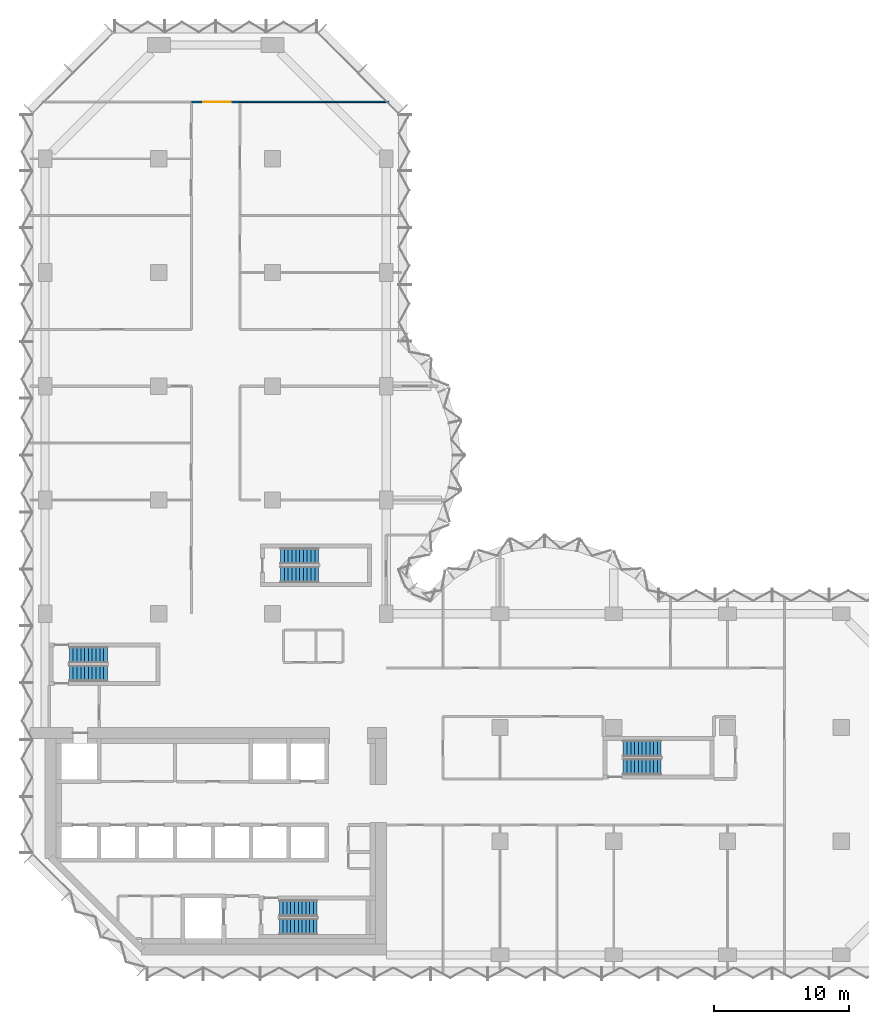
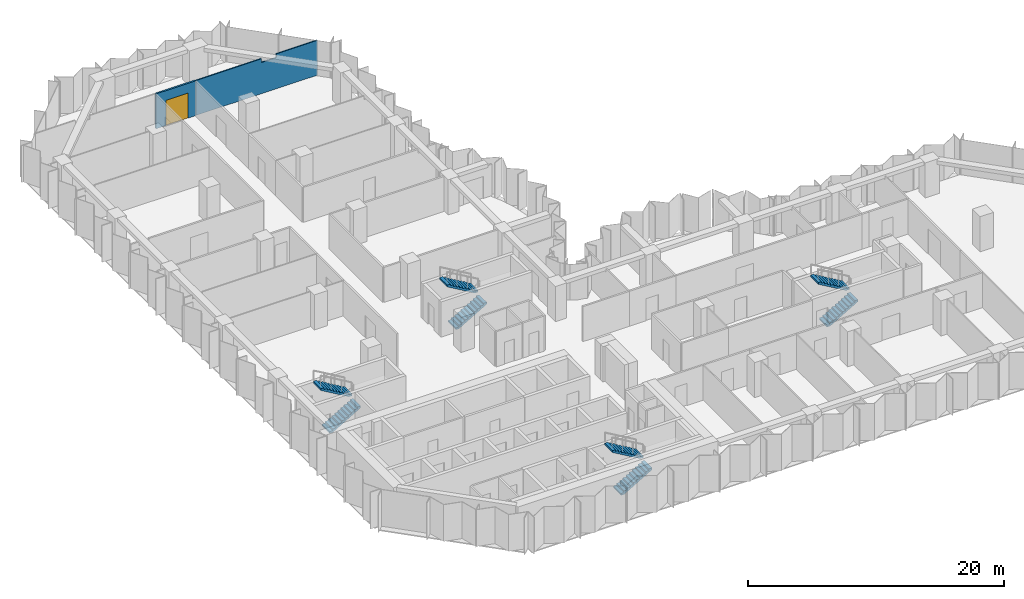
# One storey, part 11 of 13: 8 stair flights, 2 walls, 1 door, 1 opening, 4 elements without a shape of their own.
"""IFC4 building model written with IfcOpenShell, lengths in metres."""

from ifc_helpers import new_model, si_unit, direction, frame, frame_2d, origin, place, context, subcontext, project, spatial, polyline, rectangle, outline, extrude, material, layer, layer_set, type_object, element, fill, aggregate, save


model = new_model("IFC4")

# Units and contexts
model_context = context("Model", 3, precision=1e-05, world=origin(), true_north=direction((0.0, 1.0)))
body_context = subcontext(model_context, "Body", "Model", "MODEL_VIEW")
ifc_project = project(units=[si_unit("LENGTHUNIT", "METRE"), si_unit("AREAUNIT", "SQUARE_METRE"), si_unit("VOLUMEUNIT", "CUBIC_METRE"), si_unit("PLANEANGLEUNIT", "RADIAN"), si_unit("MASSUNIT", "GRAM", prefix="KILO")], contexts=[model_context])

# Site, building, storey
site_placement = place(None, origin())
site = spatial("IfcSite", under=ifc_project, at=site_placement, CompositionType="ELEMENT")
building_placement = place(site_placement, origin())
building = spatial("IfcBuilding", under=site, at=building_placement, Name="Brevane Broadcast Tower", CompositionType="ELEMENT")
storey_placement = place(building_placement, frame((0.0, 0.0, 124.10009765625)))
storey = spatial("IfcBuildingStorey", under=building, at=storey_placement, Name="L30", CompositionType="ELEMENT", Elevation=124.10009765625)

# Wall
ifc_material_1 = material(Name="Gypsum board partition")
ifc_layer_1 = layer(ifc_material_1, 0.10009765625)
ifc_layer_set_1 = layer_set([ifc_layer_1], Name="PARTITION 100 STUD")
wall_type_1 = type_object("IfcWallType", Name="PARTITION 100 STUD", PredefinedType="PARTITIONING", material=ifc_layer_set_1)
wall_1_placement = place(storey_placement, frame((25.39990234375, 63.0, 0.0), z_axis=(0.0, 0.0, 1.0), x_axis=(-1.0, 0.0, 0.0)))
element("IfcWall", 1, at=wall_1_placement, inside=storey, type_object=wall_type_1, Name="Partition G09-062", PredefinedType="PARTITIONING", context=body_context, shape_type="SweptSolid", body=[
    extrude(outline(polyline([(0.0, 0.0), (11.0, 0.0), (11.0, 3.329833984375), (5.065673828125, 3.329833984375), (5.063720703125, 2.97998046875), (3.736328125, 2.97998046875), (3.734375, 3.329833984375), (0.0, 3.329833984375), (0.0, 0.0)])), frame((0.0, 0.050048828125, 0.0), z_axis=(0.0, -1.0, 0.0), x_axis=(1.0, 0.0, 0.0)), (0.0, 0.0, 1.0), 0.10009765625),
])

# Wall, opening, door
ifc_layer_2 = layer(ifc_material_1, 0.14990234375)
ifc_layer_set_2 = layer_set([ifc_layer_2], Name="PARTITION 150 EI 60")
wall_type_2 = type_object("IfcWallType", Name="PARTITION 150 EI 60", PredefinedType="PARTITIONING", material=ifc_layer_set_2)
wall_2_placement = place(storey_placement, frame((10.800048828125, 63.0, 0.0), z_axis=(0.0, 0.0, 1.0), x_axis=(1.0, 0.0, 0.0)))
wall_2 = element("IfcWall", 2, at=wall_2_placement, inside=storey, type_object=wall_type_2, Name="Partition G09-051", PredefinedType="PARTITIONING", context=body_context, shape_type="SweptSolid", body=[
    extrude(rectangle(XDim=3.599853515625, YDim=0.14990234375, at=frame_2d((1.7998046875, 0.0))), origin(), (0.0, 0.0, 1.0), 3.329833984375),
])
opening_placement = place(wall_2_placement, frame((0.89990234375, 0.0, 0.0)))
opening = element("IfcOpeningElement", 3, at=opening_placement, cuts=wall_2, Name="Opening D16-016", PredefinedType="OPENING", context=body_context, shape_type="SweptSolid", body=[
    extrude(rectangle(XDim=2.0, YDim=2.39990234375, at=frame_2d((1.0, 1.199951171875))), frame((0.0, 0.0849609375, 0.0), z_axis=(0.0, -1.0, 0.0), x_axis=(1.0, 0.0, 0.0)), (0.0, 0.0, 1.0), 0.169921875),
])
ifc_material_2 = material(Name="Fire-rated timber door leaf", Category="wood")
door_type = type_object("IfcDoorType", Name="DOOR DOUBLE 2000 FD30S", OperationType="DOUBLE_DOOR_SINGLE_SWING", PredefinedType="DOOR", material=ifc_material_2)
door_placement = place(opening_placement, origin())
door = element("IfcDoor", 4, at=door_placement, inside=storey, type_object=door_type, Name="Door D16-016", OperationType="DOUBLE_DOOR_SINGLE_SWING", OverallHeight=2.39990234375, OverallWidth=2.0, PredefinedType="DOOR", context=body_context, shape_type="SweptSolid", body=[
    extrude(rectangle(XDim=2.0, YDim=2.39990234375, at=frame_2d((1.0, 1.199951171875))), frame((0.0, 0.02490234375, 0.0), z_axis=(0.0, -1.0, 0.0), x_axis=(1.0, 0.0, 0.0)), (0.0, 0.0, 1.0), 0.050048828125),
])
fill(opening, door)

# Stair, stair flights
ifc_material_3 = material(Name="Concrete C50/60", Category="concrete")
stair_type = type_object("IfcStairType", Name="Exit stair 22 risers", PredefinedType="HALF_TURN_STAIR", material=ifc_material_3)
stair_1_placement = place(storey_placement, origin())
stair_1 = element("IfcStair", 5, at=stair_1_placement, inside=storey, type_object=stair_type, Name="L30 Exit stair ST-1", PredefinedType="HALF_TURN_STAIR")
stair_flight_type = type_object("IfcStairFlightType", Name="Exit stair flight 22 risers", PredefinedType="STRAIGHT", material=ifc_material_3)
stair_flight_1_placement = place(storey_placement, frame((1.800048828125, 20.800048828125, 0.0), z_axis=(0.0, 0.0, 1.0), x_axis=(1.0, 0.0, 0.0)))
stair_flight_1 = element("IfcStairFlight", 6, at=stair_flight_1_placement, type_object=stair_flight_type, Name="ST-1 flight 1", NumberOfRisers=11, NumberOfTreads=10, PredefinedType="STRAIGHT", RiserHeight=0.163636364, TreadLength=0.28, context=body_context, shape_type="SweptSolid", body=[
    extrude(outline(polyline([(0.0, 0.0), (0.0, 0.16357421875), (0.280029296875, 0.16357421875), (0.280029296875, 0.327392578125), (0.56005859375, 0.327392578125), (0.56005859375, 0.490966796875), (0.840087890625, 0.490966796875), (0.840087890625, 0.654541015625), (1.1201171875, 0.654541015625), (1.1201171875, 0.818115234375), (1.39990234375, 0.818115234375), (1.39990234375, 0.98193359375), (1.679931640625, 0.98193359375), (1.679931640625, 1.1455078125), (1.9599609375, 1.1455078125), (1.9599609375, 1.30908203125), (2.239990234375, 1.30908203125), (2.239990234375, 1.47265625), (2.52001953125, 1.47265625), (2.52001953125, 1.636474609375), (2.800048828125, 1.636474609375), (2.800048828125, 1.800048828125), (2.800048828125, 1.462646484375), (0.297119140625, 0.0), (0.0, 0.0)])), frame((0.0, 0.60009765625, 0.0), z_axis=(0.0, -1.0, 0.0), x_axis=(1.0, 0.0, 0.0)), (0.0, 0.0, 1.0), 1.199951171875),
])
stair_flight_2_placement = place(storey_placement, frame((4.60009765625, 22.14990234375, 1.7998046875), z_axis=(0.0, 0.0, 1.0), x_axis=(-1.0, 0.0, 0.0)))
stair_flight_2 = element("IfcStairFlight", 7, at=stair_flight_2_placement, type_object=stair_flight_type, Name="ST-1 flight 2", NumberOfRisers=11, NumberOfTreads=10, PredefinedType="STRAIGHT", RiserHeight=0.163636364, TreadLength=0.28, context=body_context, shape_type="SweptSolid", body=[
    extrude(outline(polyline([(0.0, 0.0), (0.0, 0.16357421875), (0.280029296875, 0.16357421875), (0.280029296875, 0.327392578125), (0.56005859375, 0.327392578125), (0.56005859375, 0.490966796875), (0.840087890625, 0.490966796875), (0.840087890625, 0.654541015625), (1.1201171875, 0.654541015625), (1.1201171875, 0.818115234375), (1.39990234375, 0.818115234375), (1.39990234375, 0.98193359375), (1.679931640625, 0.98193359375), (1.679931640625, 1.1455078125), (1.9599609375, 1.1455078125), (1.9599609375, 1.30908203125), (2.239990234375, 1.30908203125), (2.239990234375, 1.47265625), (2.52001953125, 1.47265625), (2.52001953125, 1.636474609375), (2.800048828125, 1.636474609375), (2.800048828125, 1.800048828125), (2.800048828125, 1.462646484375), (0.297119140625, 0.0), (0.0, 0.0)])), frame((0.0, 0.60009765625, 0.0), z_axis=(0.0, -1.0, 0.0), x_axis=(1.0, 0.0, 0.0)), (0.0, 0.0, 1.0), 1.199951171875),
])
aggregate(stair_1, [stair_flight_1, stair_flight_2])

stair_2_placement = place(storey_placement, origin())
stair_2 = element("IfcStair", 8, at=stair_2_placement, inside=storey, type_object=stair_type, Name="L30 Exit stair ST-2", PredefinedType="HALF_TURN_STAIR")
stair_flight_3_placement = place(storey_placement, frame((17.300048828125, 2.10009765625, 0.0), z_axis=(0.0, 0.0, 1.0), x_axis=(1.0, 0.0, 0.0)))
stair_flight_3 = element("IfcStairFlight", 9, at=stair_flight_3_placement, type_object=stair_flight_type, Name="ST-2 flight 1", NumberOfRisers=11, NumberOfTreads=10, PredefinedType="STRAIGHT", RiserHeight=0.163636364, TreadLength=0.28, context=body_context, shape_type="SweptSolid", body=[
    extrude(outline(polyline([(0.0, 0.0), (0.0, 0.16357421875), (0.280029296875, 0.16357421875), (0.280029296875, 0.327392578125), (0.56005859375, 0.327392578125), (0.56005859375, 0.490966796875), (0.840087890625, 0.490966796875), (0.840087890625, 0.654541015625), (1.1201171875, 0.654541015625), (1.1201171875, 0.818115234375), (1.39990234375, 0.818115234375), (1.39990234375, 0.98193359375), (1.679931640625, 0.98193359375), (1.679931640625, 1.1455078125), (1.9599609375, 1.1455078125), (1.9599609375, 1.30908203125), (2.239990234375, 1.30908203125), (2.239990234375, 1.47265625), (2.52001953125, 1.47265625), (2.52001953125, 1.636474609375), (2.800048828125, 1.636474609375), (2.800048828125, 1.800048828125), (2.800048828125, 1.462646484375), (0.297119140625, 0.0), (0.0, 0.0)])), frame((0.0, 0.60009765625, 0.0), z_axis=(0.0, -1.0, 0.0), x_axis=(1.0, 0.0, 0.0)), (0.0, 0.0, 1.0), 1.199951171875),
])
stair_flight_4_placement = place(storey_placement, frame((20.10009765625, 3.449951171875, 1.7998046875), z_axis=(0.0, 0.0, 1.0), x_axis=(-1.0, 0.0, 0.0)))
stair_flight_4 = element("IfcStairFlight", 10, at=stair_flight_4_placement, type_object=stair_flight_type, Name="ST-2 flight 2", NumberOfRisers=11, NumberOfTreads=10, PredefinedType="STRAIGHT", RiserHeight=0.163636364, TreadLength=0.28, context=body_context, shape_type="SweptSolid", body=[
    extrude(outline(polyline([(0.0, 0.0), (0.0, 0.16357421875), (0.280029296875, 0.16357421875), (0.280029296875, 0.327392578125), (0.56005859375, 0.327392578125), (0.56005859375, 0.490966796875), (0.840087890625, 0.490966796875), (0.840087890625, 0.654541015625), (1.1201171875, 0.654541015625), (1.1201171875, 0.818115234375), (1.39990234375, 0.818115234375), (1.39990234375, 0.98193359375), (1.679931640625, 0.98193359375), (1.679931640625, 1.1455078125), (1.9599609375, 1.1455078125), (1.9599609375, 1.30908203125), (2.239990234375, 1.30908203125), (2.239990234375, 1.47265625), (2.52001953125, 1.47265625), (2.52001953125, 1.636474609375), (2.800048828125, 1.636474609375), (2.800048828125, 1.800048828125), (2.800048828125, 1.462646484375), (0.297119140625, 0.0), (0.0, 0.0)])), frame((0.0, 0.60009765625, 0.0), z_axis=(0.0, -1.0, 0.0), x_axis=(1.0, 0.0, 0.0)), (0.0, 0.0, 1.0), 1.199951171875),
])
aggregate(stair_2, [stair_flight_3, stair_flight_4])

stair_3_placement = place(storey_placement, origin())
stair_3 = element("IfcStair", 11, at=stair_3_placement, inside=storey, type_object=stair_type, Name="L30 Exit stair ST-3", PredefinedType="HALF_TURN_STAIR")
stair_flight_5_placement = place(storey_placement, frame((17.39990234375, 28.10009765625, 0.0), z_axis=(0.0, 0.0, 1.0), x_axis=(1.0, 0.0, 0.0)))
stair_flight_5 = element("IfcStairFlight", 12, at=stair_flight_5_placement, type_object=stair_flight_type, Name="ST-3 flight 1", NumberOfRisers=11, NumberOfTreads=10, PredefinedType="STRAIGHT", RiserHeight=0.163636364, TreadLength=0.28, context=body_context, shape_type="SweptSolid", body=[
    extrude(outline(polyline([(0.0, 0.0), (0.0, 0.16357421875), (0.280029296875, 0.16357421875), (0.280029296875, 0.327392578125), (0.56005859375, 0.327392578125), (0.56005859375, 0.490966796875), (0.840087890625, 0.490966796875), (0.840087890625, 0.654541015625), (1.1201171875, 0.654541015625), (1.1201171875, 0.818115234375), (1.39990234375, 0.818115234375), (1.39990234375, 0.98193359375), (1.679931640625, 0.98193359375), (1.679931640625, 1.1455078125), (1.9599609375, 1.1455078125), (1.9599609375, 1.30908203125), (2.239990234375, 1.30908203125), (2.239990234375, 1.47265625), (2.52001953125, 1.47265625), (2.52001953125, 1.636474609375), (2.800048828125, 1.636474609375), (2.800048828125, 1.800048828125), (2.800048828125, 1.462646484375), (0.297119140625, 0.0), (0.0, 0.0)])), frame((0.0, 0.60009765625, 0.0), z_axis=(0.0, -1.0, 0.0), x_axis=(1.0, 0.0, 0.0)), (0.0, 0.0, 1.0), 1.199951171875),
])
stair_flight_6_placement = place(storey_placement, frame((20.199951171875, 29.449951171875, 1.7998046875), z_axis=(0.0, 0.0, 1.0), x_axis=(-1.0, 0.0, 0.0)))
stair_flight_6 = element("IfcStairFlight", 13, at=stair_flight_6_placement, type_object=stair_flight_type, Name="ST-3 flight 2", NumberOfRisers=11, NumberOfTreads=10, PredefinedType="STRAIGHT", RiserHeight=0.163636364, TreadLength=0.28, context=body_context, shape_type="SweptSolid", body=[
    extrude(outline(polyline([(0.0, 0.0), (0.0, 0.16357421875), (0.280029296875, 0.16357421875), (0.280029296875, 0.327392578125), (0.56005859375, 0.327392578125), (0.56005859375, 0.490966796875), (0.840087890625, 0.490966796875), (0.840087890625, 0.654541015625), (1.1201171875, 0.654541015625), (1.1201171875, 0.818115234375), (1.39990234375, 0.818115234375), (1.39990234375, 0.98193359375), (1.679931640625, 0.98193359375), (1.679931640625, 1.1455078125), (1.9599609375, 1.1455078125), (1.9599609375, 1.30908203125), (2.239990234375, 1.30908203125), (2.239990234375, 1.47265625), (2.52001953125, 1.47265625), (2.52001953125, 1.636474609375), (2.800048828125, 1.636474609375), (2.800048828125, 1.800048828125), (2.800048828125, 1.462646484375), (0.297119140625, 0.0), (0.0, 0.0)])), frame((0.0, 0.60009765625, 0.0), z_axis=(0.0, -1.0, 0.0), x_axis=(1.0, 0.0, 0.0)), (0.0, 0.0, 1.0), 1.199951171875),
])
aggregate(stair_3, [stair_flight_5, stair_flight_6])

stair_4_placement = place(storey_placement, origin())
stair_4 = element("IfcStair", 14, at=stair_4_placement, inside=storey, type_object=stair_type, Name="L30 Exit stair ST-4", PredefinedType="HALF_TURN_STAIR")
stair_flight_7_placement = place(storey_placement, frame((42.699951171875, 13.89990234375, 0.0), z_axis=(0.0, 0.0, 1.0), x_axis=(1.0, 0.0, 0.0)))
stair_flight_7 = element("IfcStairFlight", 15, at=stair_flight_7_placement, type_object=stair_flight_type, Name="ST-4 flight 1", NumberOfRisers=11, NumberOfTreads=10, PredefinedType="STRAIGHT", RiserHeight=0.163636364, TreadLength=0.28, context=body_context, shape_type="SweptSolid", body=[
    extrude(outline(polyline([(0.0, 0.0), (0.0, 0.16357421875), (0.280029296875, 0.16357421875), (0.280029296875, 0.327392578125), (0.56005859375, 0.327392578125), (0.56005859375, 0.490966796875), (0.840087890625, 0.490966796875), (0.840087890625, 0.654541015625), (1.1201171875, 0.654541015625), (1.1201171875, 0.818115234375), (1.39990234375, 0.818115234375), (1.39990234375, 0.98193359375), (1.679931640625, 0.98193359375), (1.679931640625, 1.1455078125), (1.9599609375, 1.1455078125), (1.9599609375, 1.30908203125), (2.239990234375, 1.30908203125), (2.239990234375, 1.47265625), (2.52001953125, 1.47265625), (2.52001953125, 1.636474609375), (2.800048828125, 1.636474609375), (2.800048828125, 1.800048828125), (2.800048828125, 1.462646484375), (0.297119140625, 0.0), (0.0, 0.0)])), frame((0.0, 0.60009765625, 0.0), z_axis=(0.0, -1.0, 0.0), x_axis=(1.0, 0.0, 0.0)), (0.0, 0.0, 1.0), 1.199951171875),
])
stair_flight_8_placement = place(storey_placement, frame((45.5, 15.25, 1.7998046875), z_axis=(0.0, 0.0, 1.0), x_axis=(-1.0, 0.0, 0.0)))
stair_flight_8 = element("IfcStairFlight", 16, at=stair_flight_8_placement, type_object=stair_flight_type, Name="ST-4 flight 2", NumberOfRisers=11, NumberOfTreads=10, PredefinedType="STRAIGHT", RiserHeight=0.163636364, TreadLength=0.28, context=body_context, shape_type="SweptSolid", body=[
    extrude(outline(polyline([(0.0, 0.0), (0.0, 0.16357421875), (0.280029296875, 0.16357421875), (0.280029296875, 0.327392578125), (0.56005859375, 0.327392578125), (0.56005859375, 0.490966796875), (0.840087890625, 0.490966796875), (0.840087890625, 0.654541015625), (1.1201171875, 0.654541015625), (1.1201171875, 0.818115234375), (1.39990234375, 0.818115234375), (1.39990234375, 0.98193359375), (1.679931640625, 0.98193359375), (1.679931640625, 1.1455078125), (1.9599609375, 1.1455078125), (1.9599609375, 1.30908203125), (2.239990234375, 1.30908203125), (2.239990234375, 1.47265625), (2.52001953125, 1.47265625), (2.52001953125, 1.636474609375), (2.800048828125, 1.636474609375), (2.800048828125, 1.800048828125), (2.800048828125, 1.462646484375), (0.297119140625, 0.0), (0.0, 0.0)])), frame((0.0, 0.60009765625, 0.0), z_axis=(0.0, -1.0, 0.0), x_axis=(1.0, 0.0, 0.0)), (0.0, 0.0, 1.0), 1.199951171875),
])
aggregate(stair_4, [stair_flight_7, stair_flight_8])

save(model, "model.ifc")
